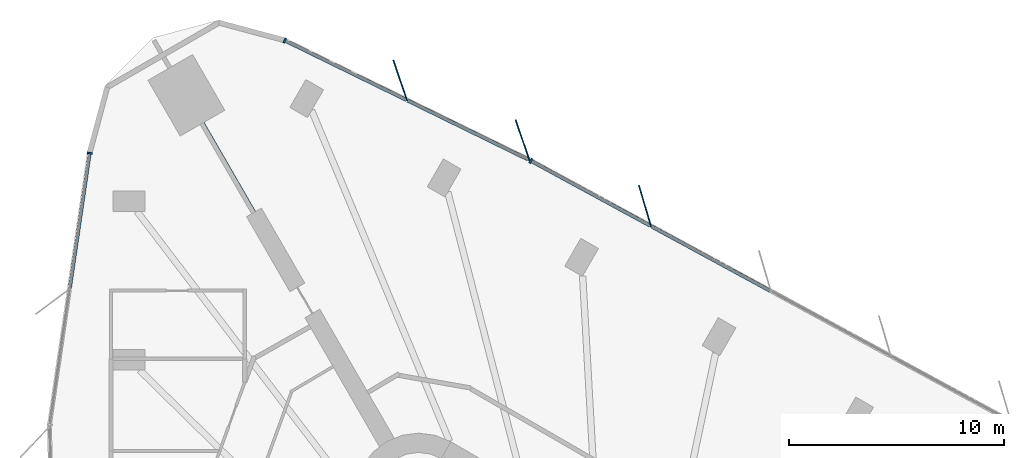
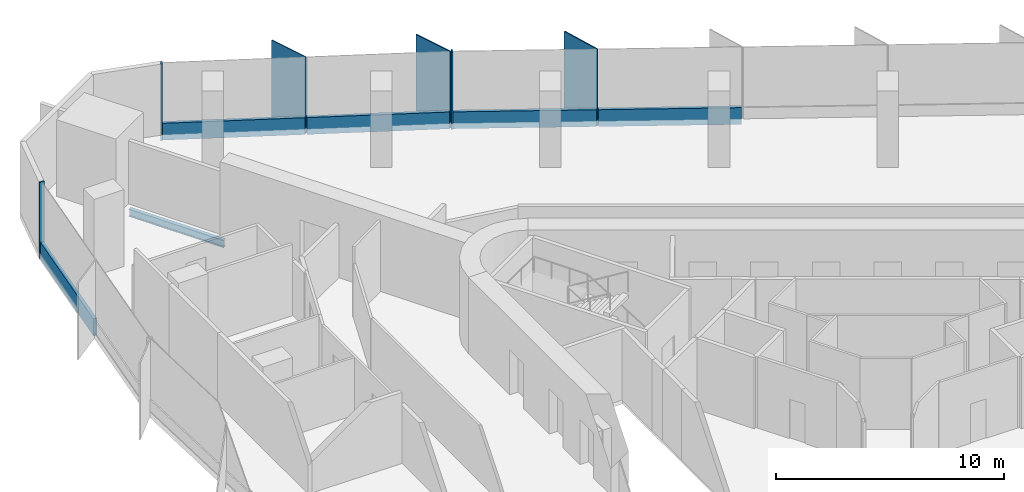
# One storey, part 6 of 14: 11 members, 1 beam, 3 elements without a shape of their own.
"""IFC4 building model written with IfcOpenShell, lengths in metres."""

from ifc_helpers import new_model, si_unit, direction, frame, origin, origin_2d, place, context, subcontext, project, spatial, rectangle, i_section, extrude, material, material_profile, profile_set, type_object, element, aggregate, save


model = new_model("IFC4")

# Units and contexts
model_context = context("Model", 3, precision=1e-05, world=origin(), true_north=direction((0.0, 1.0)))
body_context = subcontext(model_context, "Body", "Model", "MODEL_VIEW")
ifc_project = project(units=[si_unit("LENGTHUNIT", "METRE"), si_unit("AREAUNIT", "SQUARE_METRE"), si_unit("VOLUMEUNIT", "CUBIC_METRE"), si_unit("PLANEANGLEUNIT", "RADIAN"), si_unit("MASSUNIT", "GRAM", prefix="KILO")], contexts=[model_context])

# Site, building, storey
site_placement = place(None, origin())
site = spatial("IfcSite", under=ifc_project, at=site_placement, CompositionType="ELEMENT")
building_placement = place(site_placement, origin())
building = spatial("IfcBuilding", under=site, at=building_placement, Name="Tanit Gate Tower", CompositionType="ELEMENT")
storey_placement = place(building_placement, frame((0.0, 0.0, 148.0)))
storey = spatial("IfcBuildingStorey", under=building, at=storey_placement, Name="L32", CompositionType="ELEMENT", Elevation=148.0)

# Curtain wall, member
ifc_material_1 = material(Name="Aluminium bronze anodised and glass", Category="aluminium")
curtain_wall_type = type_object("IfcCurtainWallType", Name="Curtain wall typical low", PredefinedType="NOTDEFINED", material=ifc_material_1)
curtain_wall_1_placement = place(storey_placement, origin())
curtain_wall_1 = element("IfcCurtainWall", 1, at=curtain_wall_1_placement, inside=storey, type_object=curtain_wall_type, Name="Curtain wall L32 NE2", PredefinedType="NOTDEFINED")
ifc_material_2 = material(Name="Aluminium bronze anodised", Category="aluminium")
ifc_material_profile_1 = material_profile(ifc_material_2, rectangle(XDim=2.0, YDim=0.055908203125, at=origin_2d()), Name="56x2000 bronze fin mullion")
ifc_profile_set_1 = profile_set([ifc_material_profile_1], Name="Aluminium bronze anodised")
member_type_1 = type_object("IfcMemberType", Name="FIN MULLION 56x2000 bronze", PredefinedType="MULLION", material=ifc_profile_set_1)
member_1_placement = place(storey_placement, frame((1.43896484375, 29.34228515625, -0.300048828125), z_axis=(0.0, 0.0, 1.0), x_axis=(0.28377270479, -0.958891574692, 0.0)))
member_1 = element("IfcMember", 2, at=member_1_placement, type_object=member_type_1, Name="Fin mullion L32 NE2.6", PredefinedType="MULLION", context=body_context, shape_type="SweptSolid", body=[
    extrude(rectangle(XDim=2.0, YDim=0.055908203125, at=origin_2d()), origin(), (0.0, 0.0, 1.0), 4.10009765625),
])

# Curtain wall, members
curtain_wall_2_placement = place(storey_placement, origin())
curtain_wall_2 = element("IfcCurtainWall", 3, at=curtain_wall_2_placement, inside=storey, type_object=curtain_wall_type, Name="Curtain wall L32 NE3", PredefinedType="NOTDEFINED")
member_2_placement = place(storey_placement, frame((-4.260498046875, 32.402099609375, -0.300048828125), z_axis=(0.0, 0.0, 1.0), x_axis=(0.324672602566, -0.945826464603, 0.0)))
member_2 = element("IfcMember", 4, at=member_2_placement, type_object=member_type_1, Name="Fin mullion L32 NE3.1", PredefinedType="MULLION", context=body_context, shape_type="SweptSolid", body=[
    extrude(rectangle(XDim=2.0, YDim=0.055908203125, at=origin_2d()), origin(), (0.0, 0.0, 1.0), 4.10009765625),
])
member_3_placement = place(storey_placement, frame((-9.957275390625, 35.187255859375, -0.300048828125), z_axis=(0.0, 0.0, 1.0), x_axis=(0.324672602566, -0.945826464603, 0.0)))
member_3 = element("IfcMember", 5, at=member_3_placement, type_object=member_type_1, Name="Fin mullion L32 NE3.2", PredefinedType="MULLION", context=body_context, shape_type="SweptSolid", body=[
    extrude(rectangle(XDim=2.0, YDim=0.055908203125, at=origin_2d()), origin(), (0.0, 0.0, 1.0), 4.10009765625),
])

# Member
ifc_material_3 = material(Name="Aluminium bronze anodised", Category="aluminium")
ifc_material_profile_2 = material_profile(ifc_material_3, rectangle(XDim=0.239990234375, YDim=0.080078125, at=origin_2d()), Name="80x240 bronze mullion")
ifc_profile_set_2 = profile_set([ifc_material_profile_2], Name="Aluminium bronze anodised")
member_type_2 = type_object("IfcMemberType", Name="Mullion 80x240 typical low", PredefinedType="MULLION", material=ifc_profile_set_2)
member_4_placement = place(storey_placement, frame((-3.8720703125, 31.441162109375, -0.300048828125), z_axis=(0.0, 0.0, 1.0), x_axis=(-0.477381131015, -0.87869633876, 0.0)))
member_4 = element("IfcMember", 6, at=member_4_placement, type_object=member_type_2, Name="Mullion L32 NE2.7", PredefinedType="MULLION", context=body_context, shape_type="SweptSolid", body=[
    extrude(rectangle(XDim=0.239990234375, YDim=0.080078125, at=origin_2d()), origin(), (0.0, 0.0, 1.0), 4.10009765625),
])

member_5_placement = place(storey_placement, frame((-15.336669921875, 37.048095703125, -0.300048828125), z_axis=(0.0, 0.0, 1.0), x_axis=(-0.439222108006, -0.898378505886, 0.0)))
member_5 = element("IfcMember", 7, at=member_5_placement, type_object=member_type_2, Name="Mullion L32 NE3.3", PredefinedType="MULLION", context=body_context, shape_type="SweptSolid", body=[
    extrude(rectangle(XDim=0.239990234375, YDim=0.080078125, at=origin_2d()), origin(), (0.0, 0.0, 1.0), 4.10009765625),
])

# Curtain wall, member
curtain_wall_3_placement = place(storey_placement, origin())
curtain_wall_3 = element("IfcCurtainWall", 8, at=curtain_wall_3_placement, inside=storey, type_object=curtain_wall_type, Name="Curtain wall L32 W1", PredefinedType="NOTDEFINED")
member_6_placement = place(storey_placement, frame((-24.42041015625, 31.802001953125, -0.300048828125), z_axis=(0.0, 0.0, 1.0), x_axis=(0.989399755479, -0.145217505343, 0.0)))
member_6 = element("IfcMember", 9, at=member_6_placement, type_object=member_type_2, Name="Mullion L32 W1.1", PredefinedType="MULLION", context=body_context, shape_type="SweptSolid", body=[
    extrude(rectangle(XDim=0.239990234375, YDim=0.080078125, at=origin_2d()), origin(), (0.0, 0.0, 1.0), 4.10009765625),
])

# Beam
ifc_material_4 = material(Name="Steel S355", Category="steel")
ifc_material_profile_3 = material_profile(ifc_material_4, i_section(OverallWidth=0.179931640625, OverallDepth=0.39990234375, WebThickness=0.008544921875, FlangeThickness=0.013427734375, FilletRadius=0.02099609375, at=origin_2d()), Name="IPE 400")
ifc_profile_set_3 = profile_set([ifc_material_profile_3], Name="Steel S355")
beam_type = type_object("IfcBeamType", Name="RADIAL GIRDER IPE 400 S355", PredefinedType="BEAM", material=ifc_profile_set_3)
beam_placement = place(storey_placement, frame((-19.1650390625, 33.19482421875, -0.5), z_axis=(0.499998569178, -0.866026229868, 0.0), x_axis=(0.866026229868, 0.499998569178, 0.0)))
element("IfcBeam", 10, at=beam_placement, inside=storey, type_object=beam_type, Name="RADIAL GIRDER", PredefinedType="BEAM", context=body_context, shape_type="SweptSolid", body=[
    extrude(i_section(OverallWidth=0.179931640625, OverallDepth=0.39990234375, WebThickness=0.008544921875, FlangeThickness=0.013427734375, FilletRadius=0.02099609375, at=origin_2d()), origin(), (0.0, 0.0, 1.0), 4.79638671875),
])

# Member
ifc_material_5 = material(Name="Aluminium bronze anodised", Category="aluminium")
ifc_material_profile_4 = material_profile(ifc_material_5, rectangle(XDim=0.159912109375, YDim=0.89990234375, at=origin_2d()), Name="160x900 bronze transom")
ifc_profile_set_4 = profile_set([ifc_material_profile_4], Name="Aluminium bronze anodised")
member_type_3 = type_object("IfcMemberType", Name="Transom 160x900 typical low", PredefinedType="USERDEFINED", material=ifc_profile_set_4)
member_7_placement = place(storey_placement, frame((7.26953125, 25.38818359375, 0.14990234375), z_axis=(-0.878701089496, 0.477372386422, 0.0), x_axis=(-0.477372386422, -0.878701089496, 0.0)))
member_7 = element("IfcMember", 11, at=member_7_placement, type_object=member_type_3, Name="Transom L32 NE2.5", ObjectType="TRANSOM", PredefinedType="USERDEFINED", context=body_context, shape_type="SweptSolid", body=[
    extrude(rectangle(XDim=0.159912109375, YDim=0.89990234375, at=origin_2d()), origin(), (0.0, 0.0, 1.0), 6.27978515625),
])

member_8_placement = place(storey_placement, frame((1.68115234375, 28.424072265625, 0.14990234375), z_axis=(-0.878701089496, 0.477372386422, 0.0), x_axis=(-0.477372386422, -0.878701089496, 0.0)))
member_8 = element("IfcMember", 12, at=member_8_placement, type_object=member_type_3, Name="Transom L32 NE2.6", ObjectType="TRANSOM", PredefinedType="USERDEFINED", context=body_context, shape_type="SweptSolid", body=[
    extrude(rectangle(XDim=0.159912109375, YDim=0.89990234375, at=origin_2d()), origin(), (0.0, 0.0, 1.0), 6.27978515625),
])

aggregate(curtain_wall_1, [member_1, member_4, member_7, member_8])

member_9_placement = place(storey_placement, frame((-3.97900390625, 31.495361328125, 0.14990234375), z_axis=(-0.898384360919, 0.439210132005, 0.0), x_axis=(-0.439210132005, -0.898384360919, 0.0)))
member_9 = element("IfcMember", 13, at=member_9_placement, type_object=member_type_3, Name="Transom L32 NE3.1", ObjectType="TRANSOM", PredefinedType="USERDEFINED", context=body_context, shape_type="SweptSolid", body=[
    extrude(rectangle(XDim=0.159912109375, YDim=0.89990234375, at=origin_2d()), origin(), (0.0, 0.0, 1.0), 6.26123046875),
])

member_10_placement = place(storey_placement, frame((-9.67578125, 34.280517578125, 0.14990234375), z_axis=(-0.898384360919, 0.439210132005, 0.0), x_axis=(-0.439210132005, -0.898384360919, 0.0)))
member_10 = element("IfcMember", 14, at=member_10_placement, type_object=member_type_3, Name="Transom L32 NE3.2", ObjectType="TRANSOM", PredefinedType="USERDEFINED", context=body_context, shape_type="SweptSolid", body=[
    extrude(rectangle(XDim=0.159912109375, YDim=0.89990234375, at=origin_2d()), origin(), (0.0, 0.0, 1.0), 6.26123046875),
])

aggregate(curtain_wall_2, [member_2, member_3, member_5, member_9, member_10])

member_11_placement = place(storey_placement, frame((-24.42626953125, 31.76220703125, 0.14990234375), z_axis=(-0.145221203289, -0.989399212712, 0.0), x_axis=(0.989399212712, -0.145221203289, 0.0)))
member_11 = element("IfcMember", 15, at=member_11_placement, type_object=member_type_3, Name="Transom L32 W1.1", ObjectType="TRANSOM", PredefinedType="USERDEFINED", context=body_context, shape_type="SweptSolid", body=[
    extrude(rectangle(XDim=0.159912109375, YDim=0.89990234375, at=origin_2d()), origin(), (0.0, 0.0, 1.0), 6.312744140625),
])

aggregate(curtain_wall_3, [member_6, member_11])

save(model, "model.ifc")
